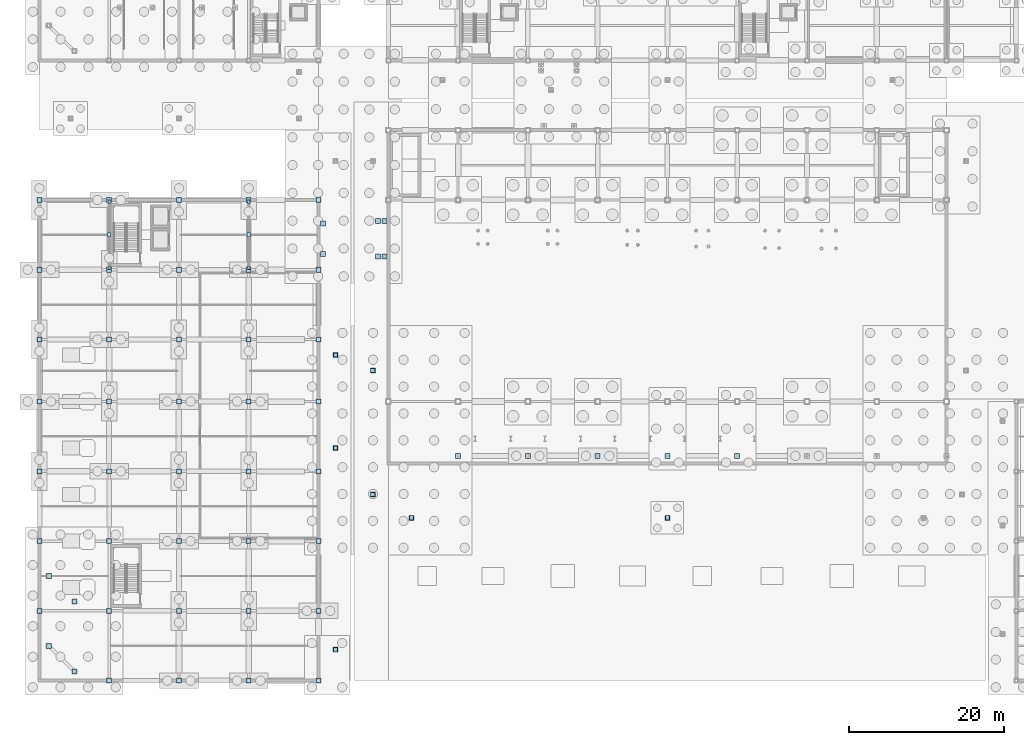
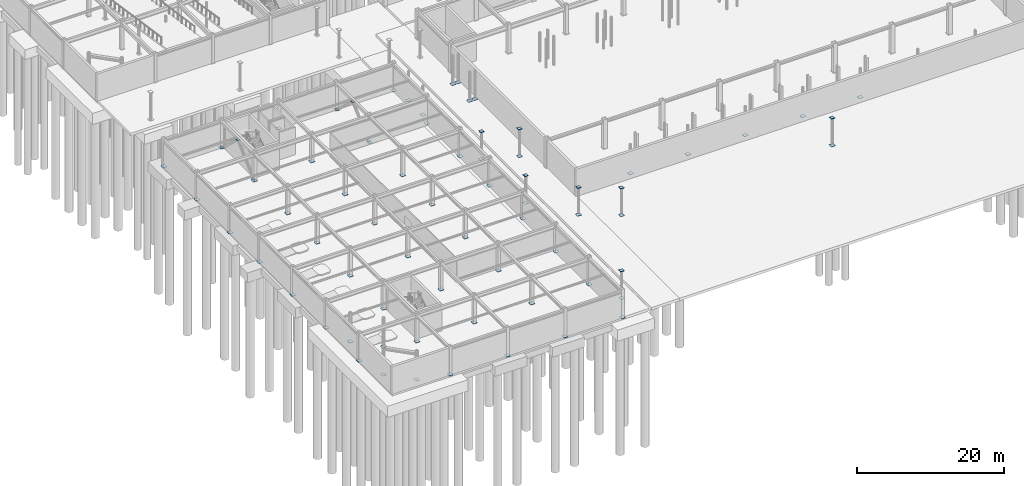
# One storey, part 46 of 74: 74 plates.
"""IFC4 building model written with IfcOpenShell, lengths in metres."""

from ifc_helpers import new_model, si_unit, direction, frame, origin, origin_2d, place, context, subcontext, project, spatial, rectangle, extrude, material, layer, layer_set, type_object, element, save


model = new_model("IFC4")

# Units and contexts
model_context = context("Model", 3, precision=1e-05, world=origin(), true_north=direction((0.0, 1.0)))
body_context = subcontext(model_context, "Body", "Model", "MODEL_VIEW")
ifc_project = project(units=[si_unit("LENGTHUNIT", "METRE"), si_unit("AREAUNIT", "SQUARE_METRE"), si_unit("VOLUMEUNIT", "CUBIC_METRE"), si_unit("PLANEANGLEUNIT", "RADIAN"), si_unit("MASSUNIT", "GRAM", prefix="KILO")], contexts=[model_context])

# Site, building, storey
site_placement = place(None, origin())
site = spatial("IfcSite", under=ifc_project, at=site_placement, CompositionType="ELEMENT")
building_placement = place(site_placement, origin())
building = spatial("IfcBuilding", under=site, at=building_placement, Name="Suzunagisa Mobility Hub", CompositionType="ELEMENT")
storey_placement = place(building_placement, frame((0.0, 0.0, -4.800048828125)))
storey = spatial("IfcBuildingStorey", under=building, at=storey_placement, Name="B1", CompositionType="ELEMENT", Elevation=-4.800048828125)

# Plates
ifc_material = material(Name="Steel SN490B", Category="steel")
ifc_layer_1 = layer(ifc_material, 0.02392578125)
ifc_layer_set_1 = layer_set([ifc_layer_1], Name="Steel SN490B")
plate_type_1 = type_object("IfcPlateType", Name="Structural Steel Plate SP-01 550x550x24", PredefinedType="USERDEFINED", material=ifc_layer_set_1)
for number, where, z_axis, x_axis, name in (
    (1, (38.199951171875, 4.0, 4.55517578125), (0.0, 0.0, 1.0), (1.0, 0.0, 0.0), "B1 Column Cap Plate CP-96"),
    (2, (38.199951171875, 30.0, 4.55517578125), (0.0, 0.0, 1.0), (1.0, 0.0, 0.0), "B1 Column Cap Plate CP-97"),
    (3, (38.199951171875, 42.0, 4.55517578125), (0.0, 0.0, 1.0), (1.0, 0.0, 0.0), "B1 Column Cap Plate CP-98"),
    (4, (43.0, 24.0, 4.55517578125), (0.0, 0.0, 1.0), (1.0, 0.0, 0.0), "B1 Column Cap Plate CP-100"),
    (5, (43.0, 40.0, 4.55517578125), (0.0, 0.0, 1.0), (1.0, 0.0, 0.0), "B1 Column Cap Plate CP-101"),
    (6, (48.0, 21.0, 4.55517578125), (0.0, 0.0, 1.0), (1.0, 0.0, 0.0), "B1 Column Cap Plate CP-123"),
    (7, (81.0, 21.0, 4.55517578125), (0.0, 0.0, 1.0), (1.0, 0.0, 0.0), "B1 Column Cap Plate CP-165"),
):
    element("IfcPlate", number, at=place(storey_placement, frame(where, z_axis=z_axis, x_axis=x_axis)), inside=storey, type_object=plate_type_1, Name=name, ObjectType="BASE PLATE", PredefinedType="USERDEFINED", context=body_context, shape_type="SweptSolid", body=[
        extrude(rectangle(XDim=0.550048828125, YDim=0.550048828125, at=origin_2d()), origin(), (0.0, 0.0, 1.0), 0.02392578125),
    ])
ifc_layer_2 = layer(ifc_material, 0.028076171875)
ifc_layer_set_2 = layer_set([ifc_layer_2], Name="Steel SN490B")
plate_type_2 = type_object("IfcPlateType", Name="Structural Steel Plate SP-04 480x320x28", PredefinedType="USERDEFINED", material=ifc_layer_set_2)
for number, where, z_axis, x_axis, name in (
    (8, (9.0, 53.2451171875, 0.10595703125), (0.0, 0.0, 1.0), (1.0, 0.0, 0.0), "B1 Brace Foot Gusset Plate FGP-100.1"),
    (9, (9.0, 61.7548828125, 0.10595703125), (0.0, 0.0, 1.0), (1.0, 0.0, 0.0), "B1 Brace Foot Gusset Plate FGP-100.2"),
    (10, (27.0, 53.2451171875, 0.10595703125), (0.0, 0.0, 1.0), (1.0, 0.0, 0.0), "B1 Brace Foot Gusset Plate FGP-104.1"),
    (11, (27.0, 61.7548828125, 0.10595703125), (0.0, 0.0, 1.0), (1.0, 0.0, 0.0), "B1 Brace Foot Gusset Plate FGP-104.2"),
):
    element("IfcPlate", number, at=place(storey_placement, frame(where, z_axis=z_axis, x_axis=x_axis)), inside=storey, type_object=plate_type_2, Name=name, ObjectType="GUSSET PLATE", PredefinedType="USERDEFINED", context=body_context, shape_type="SweptSolid", body=[
        extrude(rectangle(XDim=0.320068359375, YDim=0.47998046875, at=origin_2d()), origin(), (0.0, 0.0, 1.0), 0.028076171875),
    ])
ifc_layer_3 = layer(ifc_material, 0.031982421875)
ifc_layer_set_3 = layer_set([ifc_layer_3], Name="Steel SN490B")
plate_type_3 = type_object("IfcPlateType", Name="Structural Steel Plate SP-05 650x650x32", PredefinedType="USERDEFINED", material=ifc_layer_set_3)
for number, where, z_axis, x_axis, name in (
    (12, (0.0, 9.0, -0.03173828125), (0.0, 0.0, 1.0), (1.0, 0.0, 0.0), "Column Base Plate BP-1"),
    (13, (0.0, 18.0, -0.03173828125), (0.0, 0.0, 1.0), (1.0, 0.0, 0.0), "Column Base Plate BP-2"),
    (14, (0.0, 27.0, -0.03173828125), (0.0, 0.0, 1.0), (1.0, 0.0, 0.0), "Column Base Plate BP-3"),
    (15, (0.0, 36.0, -0.03173828125), (0.0, 0.0, 1.0), (1.0, 0.0, 0.0), "Column Base Plate BP-4"),
    (16, (0.0, 44.0, -0.03173828125), (0.0, 0.0, 1.0), (1.0, 0.0, 0.0), "Column Base Plate BP-5"),
    (17, (0.0, 53.0, -0.03173828125), (0.0, 0.0, 1.0), (1.0, 0.0, 0.0), "Column Base Plate BP-6"),
    (18, (0.0, 62.0, -0.03173828125), (0.0, 0.0, 1.0), (1.0, 0.0, 0.0), "Column Base Plate BP-7"),
    (19, (1.205810546875, 4.5, -0.03173828125), (0.0, 0.0, 1.0), (1.0, 0.0, 0.0), "Column Base Plate BP-11"),
    (20, (1.205810546875, 13.5, -0.03173828125), (0.0, 0.0, 1.0), (1.0, 0.0, 0.0), "Column Base Plate BP-12"),
    (21, (4.5, 1.205810546875, -0.03173828125), (0.0, 0.0, 1.0), (1.0, 0.0, 0.0), "Column Base Plate BP-16"),
    (22, (4.5, 10.205810546875, -0.03173828125), (0.0, 0.0, 1.0), (1.0, 0.0, 0.0), "Column Base Plate BP-17"),
    (23, (9.0, 0.0, -0.03173828125), (0.0, 0.0, 1.0), (1.0, 0.0, 0.0), "Column Base Plate BP-20"),
    (24, (9.0, 9.0, -0.03173828125), (0.0, 0.0, 1.0), (1.0, 0.0, 0.0), "Column Base Plate BP-21"),
    (25, (9.0, 18.0, -0.03173828125), (0.0, 0.0, 1.0), (1.0, 0.0, 0.0), "Column Base Plate BP-22"),
    (26, (9.0, 27.0, -0.03173828125), (0.0, 0.0, 1.0), (1.0, 0.0, 0.0), "Column Base Plate BP-23"),
    (27, (9.0, 36.0, -0.03173828125), (0.0, 0.0, 1.0), (1.0, 0.0, 0.0), "Column Base Plate BP-24"),
    (28, (9.0, 44.0, -0.03173828125), (0.0, 0.0, 1.0), (1.0, 0.0, 0.0), "Column Base Plate BP-25"),
    (29, (9.0, 53.0, -0.03173828125), (0.0, 0.0, 1.0), (1.0, 0.0, 0.0), "Column Base Plate BP-26"),
    (30, (9.0, 62.0, -0.03173828125), (0.0, 0.0, 1.0), (1.0, 0.0, 0.0), "Column Base Plate BP-27"),
    (31, (18.0, 0.0, -0.03173828125), (0.0, 0.0, 1.0), (1.0, 0.0, 0.0), "Column Base Plate BP-41"),
    (32, (18.0, 9.0, -0.03173828125), (0.0, 0.0, 1.0), (1.0, 0.0, 0.0), "Column Base Plate BP-42"),
    (33, (18.0, 18.0, -0.03173828125), (0.0, 0.0, 1.0), (1.0, 0.0, 0.0), "Column Base Plate BP-43"),
    (34, (18.0, 27.0, -0.03173828125), (0.0, 0.0, 1.0), (1.0, 0.0, 0.0), "Column Base Plate BP-44"),
    (35, (18.0, 36.0, -0.03173828125), (0.0, 0.0, 1.0), (1.0, 0.0, 0.0), "Column Base Plate BP-45"),
    (36, (18.0, 44.0, -0.03173828125), (0.0, 0.0, 1.0), (1.0, 0.0, 0.0), "Column Base Plate BP-46"),
    (37, (18.0, 53.0, -0.03173828125), (0.0, 0.0, 1.0), (1.0, 0.0, 0.0), "Column Base Plate BP-47"),
    (38, (18.0, 62.0, -0.03173828125), (0.0, 0.0, 1.0), (1.0, 0.0, 0.0), "Column Base Plate BP-48"),
    (39, (27.0, 0.0, -0.03173828125), (0.0, 0.0, 1.0), (1.0, 0.0, 0.0), "Column Base Plate BP-62"),
    (40, (27.0, 9.0, -0.03173828125), (0.0, 0.0, 1.0), (1.0, 0.0, 0.0), "Column Base Plate BP-63"),
    (41, (27.0, 18.0, -0.03173828125), (0.0, 0.0, 1.0), (1.0, 0.0, 0.0), "Column Base Plate BP-64"),
    (42, (27.0, 27.0, -0.03173828125), (0.0, 0.0, 1.0), (1.0, 0.0, 0.0), "Column Base Plate BP-65"),
    (43, (27.0, 36.0, -0.03173828125), (0.0, 0.0, 1.0), (1.0, 0.0, 0.0), "Column Base Plate BP-66"),
    (44, (27.0, 44.0, -0.03173828125), (0.0, 0.0, 1.0), (1.0, 0.0, 0.0), "Column Base Plate BP-67"),
    (45, (27.0, 53.0, -0.03173828125), (0.0, 0.0, 1.0), (1.0, 0.0, 0.0), "Column Base Plate BP-68"),
    (46, (27.0, 62.0, -0.03173828125), (0.0, 0.0, 1.0), (1.0, 0.0, 0.0), "Column Base Plate BP-69"),
    (47, (36.0, 0.0, -0.03173828125), (0.0, 0.0, 1.0), (1.0, 0.0, 0.0), "Column Base Plate BP-77"),
    (48, (36.0, 9.0, -0.03173828125), (0.0, 0.0, 1.0), (1.0, 0.0, 0.0), "Column Base Plate BP-78"),
    (49, (36.0, 18.0, -0.03173828125), (0.0, 0.0, 1.0), (1.0, 0.0, 0.0), "Column Base Plate BP-79"),
    (50, (36.0, 27.0, -0.03173828125), (0.0, 0.0, 1.0), (1.0, 0.0, 0.0), "Column Base Plate BP-80"),
    (51, (36.0, 36.0, -0.03173828125), (0.0, 0.0, 1.0), (1.0, 0.0, 0.0), "Column Base Plate BP-81"),
    (52, (36.0, 44.0, -0.03173828125), (0.0, 0.0, 1.0), (1.0, 0.0, 0.0), "Column Base Plate BP-82"),
    (53, (36.0, 53.0, -0.03173828125), (0.0, 0.0, 1.0), (1.0, 0.0, 0.0), "Column Base Plate BP-83"),
    (54, (36.0, 62.0, -0.03173828125), (0.0, 0.0, 1.0), (1.0, 0.0, 0.0), "Column Base Plate BP-84"),
    (55, (36.550048828125, 55.050048828125, -0.03173828125), (0.0, 0.0, 1.0), (1.0, 0.0, 0.0), "Column Base Plate BP-90"),
    (56, (36.550048828125, 58.949951171875, -0.03173828125), (0.0, 0.0, 1.0), (1.0, 0.0, 0.0), "Column Base Plate BP-91"),
    (57, (38.199951171875, 4.0, -0.03173828125), (0.0, 0.0, 1.0), (1.0, 0.0, 0.0), "Column Base Plate BP-96"),
    (58, (38.199951171875, 30.0, -0.03173828125), (0.0, 0.0, 1.0), (1.0, 0.0, 0.0), "Column Base Plate BP-97"),
    (59, (38.199951171875, 42.0, -0.03173828125), (0.0, 0.0, 1.0), (1.0, 0.0, 0.0), "Column Base Plate BP-98"),
    (60, (43.0, 24.0, -0.03173828125), (0.0, 0.0, 1.0), (1.0, 0.0, 0.0), "Column Base Plate BP-100"),
    (61, (43.0, 40.0, -0.03173828125), (0.0, 0.0, 1.0), (1.0, 0.0, 0.0), "Column Base Plate BP-101"),
    (62, (43.699951171875, 54.719970703125, -0.03173828125), (0.0, 0.0, 1.0), (1.0, 0.0, 0.0), "Column Base Plate BP-103"),
    (63, (43.699951171875, 59.280029296875, -0.03173828125), (0.0, 0.0, 1.0), (1.0, 0.0, 0.0), "Column Base Plate BP-104"),
    (64, (44.530029296875, 54.719970703125, -0.03173828125), (0.0, 0.0, 1.0), (1.0, 0.0, 0.0), "Column Base Plate BP-109"),
    (65, (44.530029296875, 59.280029296875, -0.03173828125), (0.0, 0.0, 1.0), (1.0, 0.0, 0.0), "Column Base Plate BP-110"),
    (66, (48.0, 21.0, -0.03173828125), (0.0, 0.0, 1.0), (1.0, 0.0, 0.0), "Column Base Plate BP-123"),
    (67, (54.0, 29.0, -0.03173828125), (0.0, 0.0, 1.0), (1.0, 0.0, 0.0), "Column Base Plate BP-125"),
    (68, (63.0, 29.0, -0.03173828125), (0.0, 0.0, 1.0), (1.0, 0.0, 0.0), "Column Base Plate BP-134"),
    (69, (72.0, 29.0, -0.03173828125), (0.0, 0.0, 1.0), (1.0, 0.0, 0.0), "Column Base Plate BP-150"),
    (70, (81.0, 21.0, -0.03173828125), (0.0, 0.0, 1.0), (1.0, 0.0, 0.0), "Column Base Plate BP-165"),
    (71, (81.0, 29.0, -0.03173828125), (0.0, 0.0, 1.0), (1.0, 0.0, 0.0), "Column Base Plate BP-166"),
    (72, (90.0, 29.0, -0.03173828125), (0.0, 0.0, 1.0), (1.0, 0.0, 0.0), "Column Base Plate BP-182"),
):
    element("IfcPlate", number, at=place(storey_placement, frame(where, z_axis=z_axis, x_axis=x_axis)), inside=storey, type_object=plate_type_3, Name=name, ObjectType="BASE PLATE", PredefinedType="USERDEFINED", context=body_context, shape_type="SweptSolid", body=[
        extrude(rectangle(XDim=0.64990234375, YDim=0.64990234375, at=origin_2d()), origin(), (0.0, 0.0, 1.0), 0.031982421875),
    ])
ifc_layer_4 = layer(ifc_material, 0.028076171875)
ifc_layer_set_4 = layer_set([ifc_layer_4], Name="Steel SN490B")
plate_type_4 = type_object("IfcPlateType", Name="Structural Steel Plate SP-06 600x400x28", PredefinedType="USERDEFINED", material=ifc_layer_set_4)
for number, where, z_axis, x_axis, name in (
    (73, (9.0, 57.5, 4.02392578125), (0.0, 0.0, 1.0), (1.0, 0.0, 0.0), "B1 Brace Apex Gusset GP-100"),
    (74, (27.0, 57.5, 4.02392578125), (0.0, 0.0, 1.0), (1.0, 0.0, 0.0), "B1 Brace Apex Gusset GP-104"),
):
    element("IfcPlate", number, at=place(storey_placement, frame(where, z_axis=z_axis, x_axis=x_axis)), inside=storey, type_object=plate_type_4, Name=name, ObjectType="GUSSET PLATE", PredefinedType="USERDEFINED", context=body_context, shape_type="SweptSolid", body=[
        extrude(rectangle(XDim=0.39990234375, YDim=0.60009765625, at=origin_2d()), origin(), (0.0, 0.0, 1.0), 0.028076171875),
    ])

save(model, "model.ifc")
